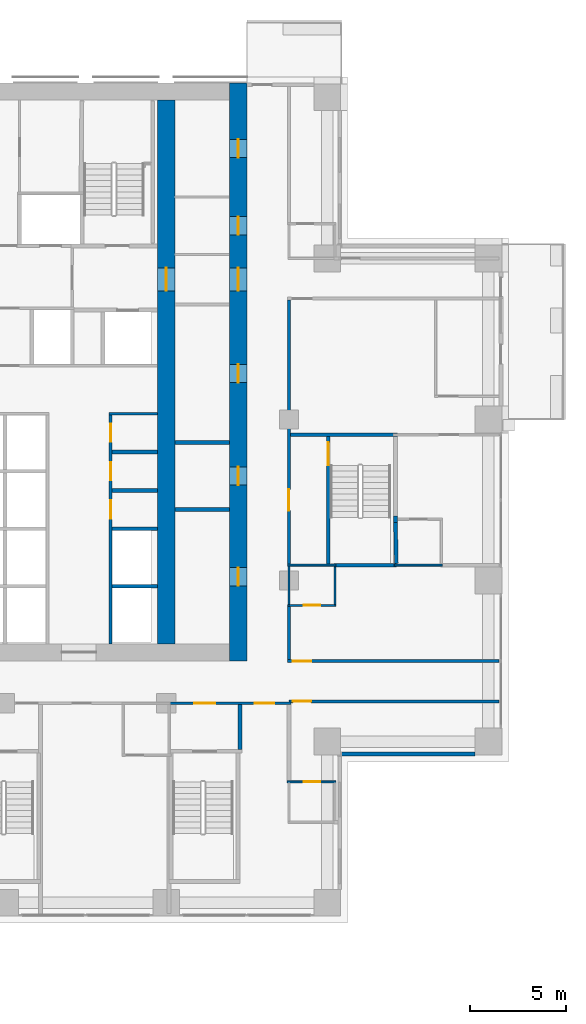
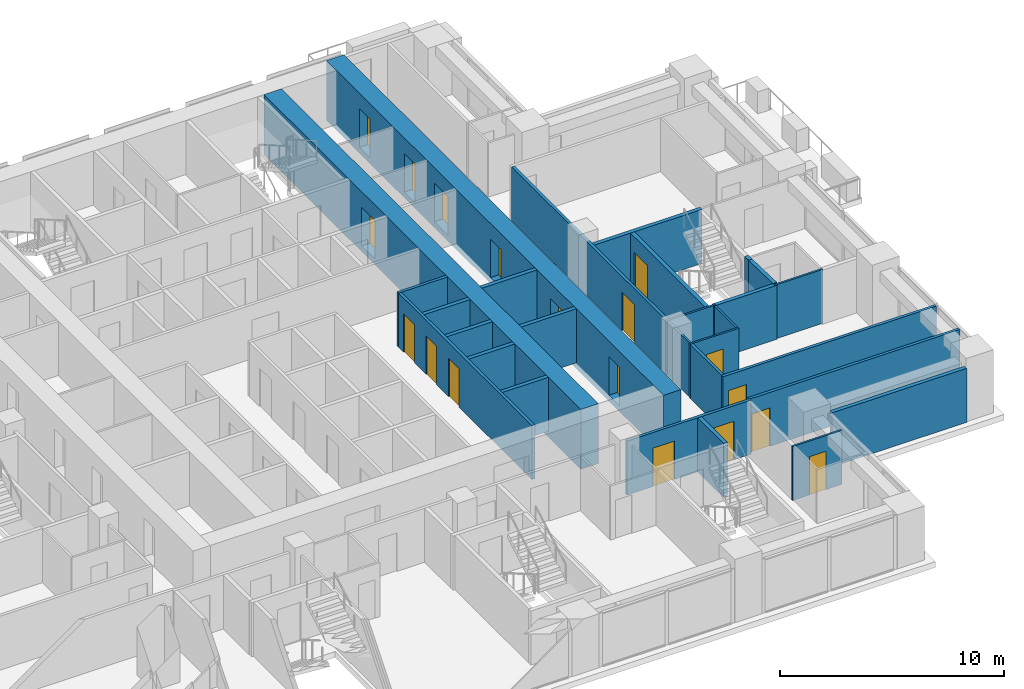
# One storey, part 9 of 16: 28 walls, 18 doors, 18 openings.
"""IFC4 building model written with IfcOpenShell, lengths in metres."""

from ifc_helpers import new_model, si_unit, direction, frame, frame_2d, origin, place, context, subcontext, project, spatial, rectangle, extrude, material, layer, layer_set, type_object, element, fill, save


model = new_model("IFC4")

# Units and contexts
model_context = context("Model", 3, precision=1e-05, world=origin(), true_north=direction((0.0, 1.0)))
body_context = subcontext(model_context, "Body", "Model", "MODEL_VIEW")
ifc_project = project(units=[si_unit("LENGTHUNIT", "METRE"), si_unit("AREAUNIT", "SQUARE_METRE"), si_unit("VOLUMEUNIT", "CUBIC_METRE"), si_unit("PLANEANGLEUNIT", "RADIAN"), si_unit("MASSUNIT", "GRAM", prefix="KILO")], contexts=[model_context])

# Site, building, storey
site_placement = place(None, origin())
site = spatial("IfcSite", under=ifc_project, at=site_placement, CompositionType="ELEMENT")
building_placement = place(site_placement, origin())
building = spatial("IfcBuilding", under=site, at=building_placement, Name="Vermilion Ogive Tower", CompositionType="ELEMENT")
storey_placement = place(building_placement, frame((0.0, 0.0, 72.449951171875)))
storey = spatial("IfcBuildingStorey", under=building, at=storey_placement, Name="L17", CompositionType="ELEMENT", Elevation=72.449951171875)

# Wall, openings, doors
ifc_material_1 = material(Name="Concrete B80", Category="concrete")
ifc_layer_1 = layer(ifc_material_1, 0.89990234375)
ifc_layer_set_1 = layer_set([ifc_layer_1], Name="Core wall 900 B80")
wall_type_1 = type_object("IfcWallType", Name="Core wall 900 B80", PredefinedType="SHEAR", material=ifc_layer_set_1)
wall_1_placement = place(storey_placement, frame((12.14990234375, -8.39990234375, -0.320068359375), z_axis=(0.0, 0.0, 1.0), x_axis=(0.0, 1.0, 0.0)))
wall_1 = element("IfcWall", 1, at=wall_1_placement, inside=storey, type_object=wall_type_1, Name="L17-CORE-E", PredefinedType="SHEAR", context=body_context, shape_type="SweptSolid", body=[
    extrude(rectangle(XDim=30.14990234375, YDim=0.89990234375, at=frame_2d((15.074951171875, 0.0))), origin(), (0.0, 0.0, 1.0), 3.27001953125),
])
opening_1_placement = place(wall_1_placement, frame((3.925048828125, 0.0, 0.320068359375)))
opening_1 = element("IfcOpeningElement", 2, at=opening_1_placement, cuts=wall_1, Name="Opening DAC029", PredefinedType="OPENING", context=body_context, shape_type="SweptSolid", body=[
    extrude(rectangle(XDim=0.949951171875, YDim=2.10009765625, at=frame_2d((0.47509765625, 1.050048828125))), frame((0.0, 0.4599609375, 0.0), z_axis=(0.0, -1.0, 0.0), x_axis=(1.0, 0.0, 0.0)), (0.0, 0.0, 1.0), 0.919921875),
])
opening_2_placement = place(wall_1_placement, frame((9.175048828125, 0.0, 0.320068359375)))
opening_2 = element("IfcOpeningElement", 3, at=opening_2_placement, cuts=wall_1, Name="Opening DAC030", PredefinedType="OPENING", context=body_context, shape_type="SweptSolid", body=[
    extrude(rectangle(XDim=0.949951171875, YDim=2.10009765625, at=frame_2d((0.47509765625, 1.050048828125))), frame((0.0, 0.4599609375, 0.0), z_axis=(0.0, -1.0, 0.0), x_axis=(1.0, 0.0, 0.0)), (0.0, 0.0, 1.0), 0.919921875),
])
opening_3_placement = place(wall_1_placement, frame((14.52490234375, 0.0, 0.320068359375)))
opening_3 = element("IfcOpeningElement", 4, at=opening_3_placement, cuts=wall_1, Name="Opening DAC031", PredefinedType="OPENING", context=body_context, shape_type="SweptSolid", body=[
    extrude(rectangle(XDim=0.949951171875, YDim=2.10009765625, at=frame_2d((0.47509765625, 1.050048828125))), frame((0.0, 0.4599609375, 0.0), z_axis=(0.0, -1.0, 0.0), x_axis=(1.0, 0.0, 0.0)), (0.0, 0.0, 1.0), 0.919921875),
])
opening_4_placement = place(wall_1_placement, frame((22.22509765625, 0.0, 0.320068359375)))
opening_4 = element("IfcOpeningElement", 5, at=opening_4_placement, cuts=wall_1, Name="Opening DAC032", PredefinedType="OPENING", context=body_context, shape_type="SweptSolid", body=[
    extrude(rectangle(XDim=0.949951171875, YDim=2.10009765625, at=frame_2d((0.47509765625, 1.050048828125))), frame((0.0, 0.4599609375, 0.0), z_axis=(0.0, -1.0, 0.0), x_axis=(1.0, 0.0, 0.0)), (0.0, 0.0, 1.0), 0.919921875),
])
opening_5_placement = place(wall_1_placement, frame((26.25, 0.0, 0.320068359375)))
opening_5 = element("IfcOpeningElement", 6, at=opening_5_placement, cuts=wall_1, Name="Opening DAC033", PredefinedType="OPENING", context=body_context, shape_type="SweptSolid", body=[
    extrude(rectangle(XDim=0.949951171875, YDim=2.10009765625, at=frame_2d((0.47509765625, 1.050048828125))), frame((0.0, 0.4599609375, 0.0), z_axis=(0.0, -1.0, 0.0), x_axis=(1.0, 0.0, 0.0)), (0.0, 0.0, 1.0), 0.919921875),
])
opening_6_placement = place(wall_1_placement, frame((19.300048828125, 0.0, 0.320068359375)))
opening_6 = element("IfcOpeningElement", 7, at=opening_6_placement, cuts=wall_1, Name="Opening DAL006", PredefinedType="OPENING", context=body_context, shape_type="SweptSolid", body=[
    extrude(rectangle(XDim=1.199951171875, YDim=2.10009765625, at=frame_2d((0.60009765625, 1.050048828125))), frame((0.0, 0.4599609375, 0.0), z_axis=(0.0, -1.0, 0.0), x_axis=(1.0, 0.0, 0.0)), (0.0, 0.0, 1.0), 0.919921875),
])
ifc_material_2 = material(Name="Timber door leaf", Category="wood")
door_type_1 = type_object("IfcDoorType", Name="Link door 1200 x 2100 FD60S", OperationType="SINGLE_SWING_LEFT", PredefinedType="DOOR", material=ifc_material_2)
door_1_placement = place(opening_6_placement, origin())
door_1 = element("IfcDoor", 8, at=door_1_placement, inside=storey, type_object=door_type_1, Name="L17-CKE-XL", OperationType="SINGLE_SWING_LEFT", OverallHeight=2.10009765625, OverallWidth=1.199951171875, PredefinedType="DOOR", context=body_context, shape_type="SweptSolid", body=[
    extrude(rectangle(XDim=1.199951171875, YDim=2.10009765625, at=frame_2d((0.60009765625, 1.050048828125))), frame((0.0, 0.02490234375, 0.0), z_axis=(0.0, -1.0, 0.0), x_axis=(1.0, 0.0, 0.0)), (0.0, 0.0, 1.0), 0.050048828125),
])
fill(opening_6, door_1)
ifc_material_3 = material(Name="Timber door leaf", Category="wood")
door_type_2 = type_object("IfcDoorType", Name="Service door 950 x 2100 FD60", OperationType="SINGLE_SWING_LEFT", PredefinedType="DOOR", material=ifc_material_3)
door_2_placement = place(opening_1_placement, origin())
door_2 = element("IfcDoor", 9, at=door_2_placement, inside=storey, type_object=door_type_2, Name="L17-CKE-XR0", OperationType="SINGLE_SWING_LEFT", OverallHeight=2.10009765625, OverallWidth=0.949951171875, PredefinedType="DOOR", context=body_context, shape_type="SweptSolid", body=[
    extrude(rectangle(XDim=0.949951171875, YDim=2.10009765625, at=frame_2d((0.47509765625, 1.050048828125))), frame((0.0, 0.02490234375, 0.0), z_axis=(0.0, -1.0, 0.0), x_axis=(1.0, 0.0, 0.0)), (0.0, 0.0, 1.0), 0.050048828125),
])
fill(opening_1, door_2)
door_3_placement = place(opening_2_placement, origin())
door_3 = element("IfcDoor", 10, at=door_3_placement, inside=storey, type_object=door_type_2, Name="L17-CKE-XR1", OperationType="SINGLE_SWING_LEFT", OverallHeight=2.10009765625, OverallWidth=0.949951171875, PredefinedType="DOOR", context=body_context, shape_type="SweptSolid", body=[
    extrude(rectangle(XDim=0.949951171875, YDim=2.10009765625, at=frame_2d((0.47509765625, 1.050048828125))), frame((0.0, 0.02490234375, 0.0), z_axis=(0.0, -1.0, 0.0), x_axis=(1.0, 0.0, 0.0)), (0.0, 0.0, 1.0), 0.050048828125),
])
fill(opening_2, door_3)
door_4_placement = place(opening_3_placement, origin())
door_4 = element("IfcDoor", 11, at=door_4_placement, inside=storey, type_object=door_type_2, Name="L17-CKE-XR2", OperationType="SINGLE_SWING_LEFT", OverallHeight=2.10009765625, OverallWidth=0.949951171875, PredefinedType="DOOR", context=body_context, shape_type="SweptSolid", body=[
    extrude(rectangle(XDim=0.949951171875, YDim=2.10009765625, at=frame_2d((0.47509765625, 1.050048828125))), frame((0.0, 0.02490234375, 0.0), z_axis=(0.0, -1.0, 0.0), x_axis=(1.0, 0.0, 0.0)), (0.0, 0.0, 1.0), 0.050048828125),
])
fill(opening_3, door_4)
door_5_placement = place(opening_4_placement, origin())
door_5 = element("IfcDoor", 12, at=door_5_placement, inside=storey, type_object=door_type_2, Name="L17-CKE-XR3", OperationType="SINGLE_SWING_LEFT", OverallHeight=2.10009765625, OverallWidth=0.949951171875, PredefinedType="DOOR", context=body_context, shape_type="SweptSolid", body=[
    extrude(rectangle(XDim=0.949951171875, YDim=2.10009765625, at=frame_2d((0.47509765625, 1.050048828125))), frame((0.0, 0.02490234375, 0.0), z_axis=(0.0, -1.0, 0.0), x_axis=(1.0, 0.0, 0.0)), (0.0, 0.0, 1.0), 0.050048828125),
])
fill(opening_4, door_5)
door_6_placement = place(opening_5_placement, origin())
door_6 = element("IfcDoor", 13, at=door_6_placement, inside=storey, type_object=door_type_2, Name="L17-CKE-XR4", OperationType="SINGLE_SWING_LEFT", OverallHeight=2.10009765625, OverallWidth=0.949951171875, PredefinedType="DOOR", context=body_context, shape_type="SweptSolid", body=[
    extrude(rectangle(XDim=0.949951171875, YDim=2.10009765625, at=frame_2d((0.47509765625, 1.050048828125))), frame((0.0, 0.02490234375, 0.0), z_axis=(0.0, -1.0, 0.0), x_axis=(1.0, 0.0, 0.0)), (0.0, 0.0, 1.0), 0.050048828125),
])
fill(opening_5, door_6)

# Wall, opening, door
wall_2_placement = place(storey_placement, frame((8.39990234375, -7.5, -0.320068359375), z_axis=(0.0, 0.0, 1.0), x_axis=(0.0, 1.0, 0.0)))
wall_2 = element("IfcWall", 14, at=wall_2_placement, inside=storey, type_object=wall_type_1, Name="L17-CORE-WEB2", PredefinedType="SHEAR", context=body_context, shape_type="SweptSolid", body=[
    extrude(rectangle(XDim=28.35009765625, YDim=0.89990234375, at=frame_2d((14.175048828125, 0.0))), origin(), (0.0, 0.0, 1.0), 3.27001953125),
])
opening_7_placement = place(wall_2_placement, frame((18.39990234375, 0.0, 0.320068359375)))
opening_7 = element("IfcOpeningElement", 15, at=opening_7_placement, cuts=wall_2, Name="Opening DAO006", PredefinedType="OPENING", context=body_context, shape_type="SweptSolid", body=[
    extrude(rectangle(XDim=1.199951171875, YDim=2.10009765625, at=frame_2d((0.60009765625, 1.050048828125))), frame((0.0, 0.4599609375, 0.0), z_axis=(0.0, -1.0, 0.0), x_axis=(1.0, 0.0, 0.0)), (0.0, 0.0, 1.0), 0.919921875),
])
door_7_placement = place(opening_7_placement, origin())
door_7 = element("IfcDoor", 16, at=door_7_placement, inside=storey, type_object=door_type_1, Name="L17-CKE-XW", OperationType="SINGLE_SWING_LEFT", OverallHeight=2.10009765625, OverallWidth=1.199951171875, PredefinedType="DOOR", context=body_context, shape_type="SweptSolid", body=[
    extrude(rectangle(XDim=1.199951171875, YDim=2.10009765625, at=frame_2d((0.60009765625, 1.050048828125))), frame((0.0, 0.02490234375, 0.0), z_axis=(0.0, -1.0, 0.0), x_axis=(1.0, 0.0, 0.0)), (0.0, 0.0, 1.0), 0.050048828125),
])
fill(opening_7, door_7)

ifc_material_4 = material(Name="Gypsum board partition on steel studs", Category="steel")
ifc_layer_2 = layer(ifc_material_4, 0.10009765625)
ifc_layer_set_2 = layer_set([ifc_layer_2], Name="Partition 100 bath")
wall_type_2 = type_object("IfcWallType", Name="Partition 100 bath", PredefinedType="PARTITIONING", material=ifc_layer_set_2)
wall_3_placement = place(storey_placement, frame((14.699951171875, -14.699951171875, 0.0), z_axis=(0.0, 0.0, 1.0), x_axis=(1.0, 0.0, 0.0)))
wall_3 = element("IfcWall", 17, at=wall_3_placement, inside=storey, type_object=wall_type_2, Name="L17-W-W007", PredefinedType="PARTITIONING", context=body_context, shape_type="SweptSolid", body=[
    extrude(rectangle(XDim=2.550048828125, YDim=0.10009765625, at=frame_2d((1.27490234375, 0.0))), origin(), (0.0, 0.0, 1.0), 2.949951171875),
])
opening_8_placement = place(wall_3_placement, frame((0.875, 0.0, 0.0)))
opening_8 = element("IfcOpeningElement", 18, at=opening_8_placement, cuts=wall_3, Name="Opening D1G6016", PredefinedType="OPENING", context=body_context, shape_type="SweptSolid", body=[
    extrude(rectangle(XDim=0.85009765625, YDim=2.10009765625, at=frame_2d((0.425048828125, 1.050048828125))), frame((0.0, 0.06005859375, 0.0), z_axis=(0.0, -1.0, 0.0), x_axis=(1.0, 0.0, 0.0)), (0.0, 0.0, 1.0), 0.1201171875),
])
ifc_material_5 = material(Name="Timber door leaf", Category="wood")
door_type_3 = type_object("IfcDoorType", Name="Bath door 850 x 2100 FD30", OperationType="SINGLE_SWING_LEFT", PredefinedType="DOOR", material=ifc_material_5)
door_8_placement = place(opening_8_placement, origin())
door_8 = element("IfcDoor", 19, at=door_8_placement, inside=storey, type_object=door_type_3, Name="L17-D-D016", OperationType="SINGLE_SWING_RIGHT", OverallHeight=2.10009765625, OverallWidth=0.85009765625, PredefinedType="DOOR", context=body_context, shape_type="SweptSolid", body=[
    extrude(rectangle(XDim=0.85009765625, YDim=2.10009765625, at=frame_2d((0.425048828125, 1.050048828125))), frame((0.0, 0.02490234375, 0.0), z_axis=(0.0, -1.0, 0.0), x_axis=(1.0, 0.0, 0.0)), (0.0, 0.0, 1.0), 0.050048828125),
])
fill(opening_8, door_8)

wall_4_placement = place(storey_placement, frame((14.72509765625, -5.5, 0.0), z_axis=(0.0, 0.0, 1.0), x_axis=(1.0, 0.0, 0.0)))
wall_4 = element("IfcWall", 20, at=wall_4_placement, inside=storey, type_object=wall_type_2, Name="L17-W-W024", PredefinedType="PARTITIONING", context=body_context, shape_type="SweptSolid", body=[
    extrude(rectangle(XDim=2.52490234375, YDim=0.10009765625, at=frame_2d((1.262451171875, 0.0))), origin(), (0.0, 0.0, 1.0), 2.949951171875),
])
opening_9_placement = place(wall_4_placement, frame((0.849853515625, 0.0, 0.0)))
opening_9 = element("IfcOpeningElement", 21, at=opening_9_placement, cuts=wall_4, Name="Opening D1G6018", PredefinedType="OPENING", context=body_context, shape_type="SweptSolid", body=[
    extrude(rectangle(XDim=0.85009765625, YDim=2.10009765625, at=frame_2d((0.425048828125, 1.050048828125))), frame((0.0, 0.06005859375, 0.0), z_axis=(0.0, -1.0, 0.0), x_axis=(1.0, 0.0, 0.0)), (0.0, 0.0, 1.0), 0.1201171875),
])
door_9_placement = place(opening_9_placement, origin())
door_9 = element("IfcDoor", 22, at=door_9_placement, inside=storey, type_object=door_type_3, Name="L17-D-D018", OperationType="SINGLE_SWING_LEFT", OverallHeight=2.10009765625, OverallWidth=0.85009765625, PredefinedType="DOOR", context=body_context, shape_type="SweptSolid", body=[
    extrude(rectangle(XDim=0.85009765625, YDim=2.10009765625, at=frame_2d((0.425048828125, 1.050048828125))), frame((0.0, 0.02490234375, 0.0), z_axis=(0.0, -1.0, 0.0), x_axis=(1.0, 0.0, 0.0)), (0.0, 0.0, 1.0), 0.050048828125),
])
fill(opening_9, door_9)

# Walls
wall_5_placement = place(storey_placement, frame((14.72509765625, -3.39990234375, 0.0), z_axis=(0.0, 0.0, 1.0), x_axis=(1.0, 0.0, 0.0)))
element("IfcWall", 23, at=wall_5_placement, inside=storey, type_object=wall_type_2, Name="L17-W-W029", PredefinedType="PARTITIONING", context=body_context, shape_type="SweptSolid", body=[
    extrude(rectangle(XDim=2.52490234375, YDim=0.10009765625, at=frame_2d((1.262451171875, 0.0))), origin(), (0.0, 0.0, 1.0), 2.949951171875),
])
wall_6_placement = place(storey_placement, frame((20.300048828125, -3.39990234375, 0.0), z_axis=(0.0, 0.0, 1.0), x_axis=(1.0, 0.0, 0.0)))
element("IfcWall", 24, at=wall_6_placement, inside=storey, type_object=wall_type_2, Name="L17-W-W031", PredefinedType="PARTITIONING", context=body_context, shape_type="SweptSolid", body=[
    extrude(rectangle(XDim=2.5, YDim=0.10009765625, at=frame_2d((1.25, 0.0))), origin(), (0.0, 0.0, 1.0), 2.949951171875),
])
wall_7_placement = place(storey_placement, frame((14.800048828125, -5.449951171875, 0.0), z_axis=(0.0, 0.0, 1.0), x_axis=(0.0, 1.0, 0.0)))
element("IfcWall", 25, at=wall_7_placement, inside=storey, type_object=wall_type_2, Name="L17-W-W084", PredefinedType="PARTITIONING", context=body_context, shape_type="SweptSolid", body=[
    extrude(rectangle(XDim=2.0, YDim=0.10009765625, at=frame_2d((1.0, 0.0))), origin(), (0.0, 0.0, 1.0), 2.949951171875),
])
wall_8_placement = place(storey_placement, frame((17.199951171875, -5.449951171875, 0.0), z_axis=(0.0, 0.0, 1.0), x_axis=(0.0, 1.0, 0.0)))
element("IfcWall", 26, at=wall_8_placement, inside=storey, type_object=wall_type_2, Name="L17-W-W090", PredefinedType="PARTITIONING", context=body_context, shape_type="SweptSolid", body=[
    extrude(rectangle(XDim=1.949951171875, YDim=0.10009765625, at=frame_2d((0.97509765625, 0.0))), origin(), (0.0, 0.0, 1.0), 2.949951171875),
])

# Wall, openings, doors
ifc_material_6 = material(Name="Gypsum board partition on steel studs", Category="steel")
ifc_layer_3 = layer(ifc_material_6, 0.14990234375)
ifc_layer_set_3 = layer_set([ifc_layer_3], Name="Partition 150 corridor")
wall_type_3 = type_object("IfcWallType", Name="Partition 150 corridor", PredefinedType="PARTITIONING", material=ifc_layer_set_3)
wall_9_placement = place(storey_placement, frame((8.5, -10.60009765625, 0.0), z_axis=(0.0, 0.0, 1.0), x_axis=(1.0, 0.0, 0.0)))
wall_9 = element("IfcWall", 27, at=wall_9_placement, inside=storey, type_object=wall_type_3, Name="L17-W-W018", PredefinedType="PARTITIONING", context=body_context, shape_type="SweptSolid", body=[
    extrude(rectangle(XDim=6.39990234375, YDim=0.14990234375, at=frame_2d((3.199951171875, 0.0))), origin(), (0.0, 0.0, 1.0), 2.949951171875),
])
opening_10_placement = place(wall_9_placement, frame((1.35009765625, 0.0, 0.0)))
opening_10 = element("IfcOpeningElement", 28, at=opening_10_placement, cuts=wall_9, Name="Opening D1G6029", PredefinedType="OPENING", context=body_context, shape_type="SweptSolid", body=[
    extrude(rectangle(XDim=1.10009765625, YDim=2.10009765625, at=frame_2d((0.550048828125, 1.050048828125))), frame((0.0, 0.0849609375, 0.0), z_axis=(0.0, -1.0, 0.0), x_axis=(1.0, 0.0, 0.0)), (0.0, 0.0, 1.0), 0.169921875),
])
opening_11_placement = place(wall_9_placement, frame((4.52490234375, 0.0, 0.0)))
opening_11 = element("IfcOpeningElement", 29, at=opening_11_placement, cuts=wall_9, Name="Opening D1G6036", PredefinedType="OPENING", context=body_context, shape_type="SweptSolid", body=[
    extrude(rectangle(XDim=1.0, YDim=2.10009765625, at=frame_2d((0.5, 1.050048828125))), frame((0.0, 0.0849609375, 0.0), z_axis=(0.0, -1.0, 0.0), x_axis=(1.0, 0.0, 0.0)), (0.0, 0.0, 1.0), 0.169921875),
])
ifc_material_7 = material(Name="Timber door leaf", Category="wood")
door_type_4 = type_object("IfcDoorType", Name="Stair door 1100 x 2100 FD60S", OperationType="SINGLE_SWING_LEFT", PredefinedType="DOOR", material=ifc_material_7)
door_10_placement = place(opening_10_placement, origin())
door_10 = element("IfcDoor", 30, at=door_10_placement, inside=storey, type_object=door_type_4, Name="L17-D-D029", OperationType="SINGLE_SWING_RIGHT", OverallHeight=2.10009765625, OverallWidth=1.10009765625, PredefinedType="DOOR", context=body_context, shape_type="SweptSolid", body=[
    extrude(rectangle(XDim=1.10009765625, YDim=2.10009765625, at=frame_2d((0.550048828125, 1.050048828125))), frame((0.0, 0.02490234375, 0.0), z_axis=(0.0, -1.0, 0.0), x_axis=(1.0, 0.0, 0.0)), (0.0, 0.0, 1.0), 0.050048828125),
])
fill(opening_10, door_10)
ifc_material_8 = material(Name="Timber door leaf", Category="wood")
door_type_5 = type_object("IfcDoorType", Name="Unit door 1000 x 2100 FD30S", OperationType="SINGLE_SWING_LEFT", PredefinedType="DOOR", material=ifc_material_8)
door_11_placement = place(opening_11_placement, origin())
door_11 = element("IfcDoor", 31, at=door_11_placement, inside=storey, type_object=door_type_5, Name="L17-D-D036", OperationType="SINGLE_SWING_RIGHT", OverallHeight=2.10009765625, OverallWidth=1.0, PredefinedType="DOOR", context=body_context, shape_type="SweptSolid", body=[
    extrude(rectangle(XDim=1.0, YDim=2.10009765625, at=frame_2d((0.5, 1.050048828125))), frame((0.0, 0.02490234375, 0.0), z_axis=(0.0, -1.0, 0.0), x_axis=(1.0, 0.0, 0.0)), (0.0, 0.0, 1.0), 0.050048828125),
])
fill(opening_11, door_11)

# Wall, opening, door
wall_10_placement = place(storey_placement, frame((14.800048828125, -10.5, 0.0), z_axis=(0.0, 0.0, 1.0), x_axis=(1.0, 0.0, 0.0)))
wall_10 = element("IfcWall", 32, at=wall_10_placement, inside=storey, type_object=wall_type_3, Name="L17-W-W020", PredefinedType="PARTITIONING", context=body_context, shape_type="SweptSolid", body=[
    extrude(rectangle(XDim=10.949951171875, YDim=0.14990234375, at=frame_2d((5.47509765625, 0.0))), origin(), (0.0, 0.0, 1.0), 2.949951171875),
])
opening_12_placement = place(wall_10_placement, frame((0.199951171875, 0.0, 0.0)))
opening_12 = element("IfcOpeningElement", 33, at=opening_12_placement, cuts=wall_10, Name="Opening D1G6015", PredefinedType="OPENING", context=body_context, shape_type="SweptSolid", body=[
    extrude(rectangle(XDim=0.949951171875, YDim=2.10009765625, at=frame_2d((0.47509765625, 1.050048828125))), frame((0.0, 0.0849609375, 0.0), z_axis=(0.0, -1.0, 0.0), x_axis=(1.0, 0.0, 0.0)), (0.0, 0.0, 1.0), 0.169921875),
])
ifc_material_9 = material(Name="Timber door leaf", Category="wood")
door_type_6 = type_object("IfcDoorType", Name="Unit door 950 x 2100 FD30S", OperationType="SINGLE_SWING_LEFT", PredefinedType="DOOR", material=ifc_material_9)
door_12_placement = place(opening_12_placement, origin())
door_12 = element("IfcDoor", 34, at=door_12_placement, inside=storey, type_object=door_type_6, Name="L17-D-D015", OperationType="SINGLE_SWING_RIGHT", OverallHeight=2.10009765625, OverallWidth=0.949951171875, PredefinedType="DOOR", context=body_context, shape_type="SweptSolid", body=[
    extrude(rectangle(XDim=0.949951171875, YDim=2.10009765625, at=frame_2d((0.47509765625, 1.050048828125))), frame((0.0, 0.02490234375, 0.0), z_axis=(0.0, -1.0, 0.0), x_axis=(1.0, 0.0, 0.0)), (0.0, 0.0, 1.0), 0.050048828125),
])
fill(opening_12, door_12)

wall_11_placement = place(storey_placement, frame((14.72509765625, -8.39990234375, 0.0), z_axis=(0.0, 0.0, 1.0), x_axis=(1.0, 0.0, 0.0)))
wall_11 = element("IfcWall", 35, at=wall_11_placement, inside=storey, type_object=wall_type_3, Name="L17-W-W022", PredefinedType="PARTITIONING", context=body_context, shape_type="SweptSolid", body=[
    extrude(rectangle(XDim=11.02490234375, YDim=0.14990234375, at=frame_2d((5.512451171875, 0.0))), origin(), (0.0, 0.0, 1.0), 2.949951171875),
])
opening_13_placement = place(wall_11_placement, frame((0.27490234375, 0.0, 0.0)))
opening_13 = element("IfcOpeningElement", 36, at=opening_13_placement, cuts=wall_11, Name="Opening D1G6017", PredefinedType="OPENING", context=body_context, shape_type="SweptSolid", body=[
    extrude(rectangle(XDim=0.949951171875, YDim=2.10009765625, at=frame_2d((0.47509765625, 1.050048828125))), frame((0.0, 0.0849609375, 0.0), z_axis=(0.0, -1.0, 0.0), x_axis=(1.0, 0.0, 0.0)), (0.0, 0.0, 1.0), 0.169921875),
])
door_13_placement = place(opening_13_placement, origin())
door_13 = element("IfcDoor", 37, at=door_13_placement, inside=storey, type_object=door_type_6, Name="L17-D-D017", OperationType="SINGLE_SWING_LEFT", OverallHeight=2.10009765625, OverallWidth=0.949951171875, PredefinedType="DOOR", context=body_context, shape_type="SweptSolid", body=[
    extrude(rectangle(XDim=0.949951171875, YDim=2.10009765625, at=frame_2d((0.47509765625, 1.050048828125))), frame((0.0, 0.02490234375, 0.0), z_axis=(0.0, -1.0, 0.0), x_axis=(1.0, 0.0, 0.0)), (0.0, 0.0, 1.0), 0.050048828125),
])
fill(opening_13, door_13)

# Wall
wall_12_placement = place(storey_placement, frame((14.800048828125, -8.324951171875, 0.0), z_axis=(0.0, 0.0, 1.0), x_axis=(0.0, 1.0, 0.0)))
element("IfcWall", 38, at=wall_12_placement, inside=storey, type_object=wall_type_3, Name="L17-W-W083", PredefinedType="PARTITIONING", context=body_context, shape_type="SweptSolid", body=[
    extrude(rectangle(XDim=2.77490234375, YDim=0.14990234375, at=frame_2d((1.387451171875, 0.0))), origin(), (0.0, 0.0, 1.0), 2.949951171875),
])

# Wall, opening, door
wall_13_placement = place(storey_placement, frame((14.800048828125, -3.35009765625, 0.0), z_axis=(0.0, 0.0, 1.0), x_axis=(0.0, 1.0, 0.0)))
wall_13 = element("IfcWall", 39, at=wall_13_placement, inside=storey, type_object=wall_type_3, Name="L17-W-W085", PredefinedType="PARTITIONING", context=body_context, shape_type="SweptSolid", body=[
    extrude(rectangle(XDim=13.775146484375, YDim=0.14990234375, at=frame_2d((6.8876953125, 0.0))), origin(), (0.0, 0.0, 1.0), 2.949951171875),
])
opening_14_placement = place(wall_13_placement, frame((2.800048828125, 0.0, 0.0)))
opening_14 = element("IfcOpeningElement", 40, at=opening_14_placement, cuts=wall_13, Name="Opening D1G6031", PredefinedType="OPENING", context=body_context, shape_type="SweptSolid", body=[
    extrude(rectangle(XDim=1.10009765625, YDim=2.10009765625, at=frame_2d((0.550048828125, 1.050048828125))), frame((0.0, 0.0849609375, 0.0), z_axis=(0.0, -1.0, 0.0), x_axis=(1.0, 0.0, 0.0)), (0.0, 0.0, 1.0), 0.169921875),
])
door_14_placement = place(opening_14_placement, origin())
door_14 = element("IfcDoor", 41, at=door_14_placement, inside=storey, type_object=door_type_4, Name="L17-D-D031", OperationType="SINGLE_SWING_LEFT", OverallHeight=2.10009765625, OverallWidth=1.10009765625, PredefinedType="DOOR", context=body_context, shape_type="SweptSolid", body=[
    extrude(rectangle(XDim=1.10009765625, YDim=2.10009765625, at=frame_2d((0.550048828125, 1.050048828125))), frame((0.0, 0.02490234375, 0.0), z_axis=(0.0, -1.0, 0.0), x_axis=(1.0, 0.0, 0.0)), (0.0, 0.0, 1.0), 0.050048828125),
])
fill(opening_14, door_14)

# Wall
wall_14_placement = place(storey_placement, frame((5.425048828125, 4.5, 0.0), z_axis=(0.0, 0.0, 1.0), x_axis=(1.0, 0.0, 0.0)))
element("IfcWall", 42, at=wall_14_placement, inside=storey, type_object=wall_type_3, Name="L17-CK-W-W013", PredefinedType="PARTITIONING", context=body_context, shape_type="SweptSolid", body=[
    extrude(rectangle(XDim=2.52392578125, YDim=0.14990234375, at=frame_2d((1.261962890625, 0.0))), origin(), (0.0, 0.0, 1.0), 2.949951171875),
])

# Wall, openings, doors
wall_15_placement = place(storey_placement, frame((5.5, -7.4990234375, 0.0), z_axis=(0.0, 0.0, 1.0), x_axis=(0.0, 1.0, 0.0)))
wall_15 = element("IfcWall", 43, at=wall_15_placement, inside=storey, type_object=wall_type_3, Name="L17-CK-W-W041", PredefinedType="PARTITIONING", context=body_context, shape_type="SweptSolid", body=[
    extrude(rectangle(XDim=11.924072265625, YDim=0.14990234375, at=frame_2d((5.9619140625, 0.0))), origin(), (0.0, 0.0, 1.0), 2.949951171875),
])
opening_15_placement = place(wall_15_placement, frame((6.52392578125, 0.0, 0.0)))
opening_15 = element("IfcOpeningElement", 44, at=opening_15_placement, cuts=wall_15, Name="Opening DAA119", PredefinedType="OPENING", context=body_context, shape_type="SweptSolid", body=[
    extrude(rectangle(XDim=0.949951171875, YDim=2.10009765625, at=frame_2d((0.47509765625, 1.050048828125))), frame((0.0, 0.0849609375, 0.0), z_axis=(0.0, -1.0, 0.0), x_axis=(1.0, 0.0, 0.0)), (0.0, 0.0, 1.0), 0.169921875),
])
opening_16_placement = place(wall_15_placement, frame((8.52392578125, 0.0, 0.0)))
opening_16 = element("IfcOpeningElement", 45, at=opening_16_placement, cuts=wall_15, Name="Opening DAA120", PredefinedType="OPENING", context=body_context, shape_type="SweptSolid", body=[
    extrude(rectangle(XDim=0.949951171875, YDim=2.10009765625, at=frame_2d((0.47509765625, 1.050048828125))), frame((0.0, 0.0849609375, 0.0), z_axis=(0.0, -1.0, 0.0), x_axis=(1.0, 0.0, 0.0)), (0.0, 0.0, 1.0), 0.169921875),
])
opening_17_placement = place(wall_15_placement, frame((10.52392578125, 0.0, 0.0)))
opening_17 = element("IfcOpeningElement", 46, at=opening_17_placement, cuts=wall_15, Name="Opening DAA121", PredefinedType="OPENING", context=body_context, shape_type="SweptSolid", body=[
    extrude(rectangle(XDim=0.949951171875, YDim=2.10009765625, at=frame_2d((0.47509765625, 1.050048828125))), frame((0.0, 0.0849609375, 0.0), z_axis=(0.0, -1.0, 0.0), x_axis=(1.0, 0.0, 0.0)), (0.0, 0.0, 1.0), 0.169921875),
])
door_15_placement = place(opening_15_placement, origin())
door_15 = element("IfcDoor", 47, at=door_15_placement, inside=storey, type_object=door_type_2, Name="L17-CK-D-D009", OperationType="SINGLE_SWING_RIGHT", OverallHeight=2.10009765625, OverallWidth=0.949951171875, PredefinedType="DOOR", context=body_context, shape_type="SweptSolid", body=[
    extrude(rectangle(XDim=0.949951171875, YDim=2.10009765625, at=frame_2d((0.47509765625, 1.050048828125))), frame((0.0, 0.02490234375, 0.0), z_axis=(0.0, -1.0, 0.0), x_axis=(1.0, 0.0, 0.0)), (0.0, 0.0, 1.0), 0.050048828125),
])
fill(opening_15, door_15)
door_16_placement = place(opening_16_placement, origin())
door_16 = element("IfcDoor", 48, at=door_16_placement, inside=storey, type_object=door_type_2, Name="L17-CK-D-D010", OperationType="SINGLE_SWING_LEFT", OverallHeight=2.10009765625, OverallWidth=0.949951171875, PredefinedType="DOOR", context=body_context, shape_type="SweptSolid", body=[
    extrude(rectangle(XDim=0.949951171875, YDim=2.10009765625, at=frame_2d((0.47509765625, 1.050048828125))), frame((0.0, 0.02490234375, 0.0), z_axis=(0.0, -1.0, 0.0), x_axis=(1.0, 0.0, 0.0)), (0.0, 0.0, 1.0), 0.050048828125),
])
fill(opening_16, door_16)
door_17_placement = place(opening_17_placement, origin())
door_17 = element("IfcDoor", 49, at=door_17_placement, inside=storey, type_object=door_type_2, Name="L17-CK-D-D011", OperationType="SINGLE_SWING_RIGHT", OverallHeight=2.10009765625, OverallWidth=0.949951171875, PredefinedType="DOOR", context=body_context, shape_type="SweptSolid", body=[
    extrude(rectangle(XDim=0.949951171875, YDim=2.10009765625, at=frame_2d((0.47509765625, 1.050048828125))), frame((0.0, 0.02490234375, 0.0), z_axis=(0.0, -1.0, 0.0), x_axis=(1.0, 0.0, 0.0)), (0.0, 0.0, 1.0), 0.050048828125),
])
fill(opening_17, door_17)

# Walls
ifc_material_10 = material(Name="Gypsum board partition on steel studs", Category="steel")
ifc_layer_4 = layer(ifc_material_10, 0.199951171875)
ifc_layer_set_4 = layer_set([ifc_layer_4], Name="Partition 200 party")
wall_type_4 = type_object("IfcWallType", Name="Partition 200 party", PredefinedType="PARTITIONING", material=ifc_layer_set_4)
wall_16_placement = place(storey_placement, frame((12.25, -12.998046875, 0.0), z_axis=(0.0, 0.0, 1.0), x_axis=(0.0, 1.0, 0.0)))
element("IfcWall", 50, at=wall_16_placement, inside=storey, type_object=wall_type_4, Name="L17-W-W080", PredefinedType="PARTITIONING", context=body_context, shape_type="SweptSolid", body=[
    extrude(rectangle(XDim=2.322998046875, YDim=0.199951171875, at=frame_2d((1.16162109375, 0.0))), origin(), (0.0, 0.0, 1.0), 2.949951171875),
])
for number, where, z_axis, x_axis, name in (
    (51, (5.574951171875, -4.5, 0.0), (0.0, 0.0, 1.0), (1.0, 0.0, 0.0), "L17-CK-W-W003"),
    (52, (5.574951171875, -1.5, 0.0), (0.0, 0.0, 1.0), (1.0, 0.0, 0.0), "L17-CK-W-W006"),
    (53, (5.574951171875, 0.5, 0.0), (0.0, 0.0, 1.0), (1.0, 0.0, 0.0), "L17-CK-W-W007"),
    (54, (5.574951171875, 2.5, 0.0), (0.0, 0.0, 1.0), (1.0, 0.0, 0.0), "L17-CK-W-W010"),
):
    element("IfcWall", number, at=place(storey_placement, frame(where, z_axis=z_axis, x_axis=x_axis)), inside=storey, type_object=wall_type_4, Name=name, PredefinedType="PARTITIONING", context=body_context, shape_type="SweptSolid", body=[
        extrude(rectangle(XDim=2.3740234375, YDim=0.199951171875, at=frame_2d((1.18701171875, 0.0))), origin(), (0.0, 0.0, 1.0), 2.949951171875),
    ])
for number, where, z_axis, x_axis, name in (
    (55, (8.85107421875, -0.5, 0.0), (0.0, 0.0, 1.0), (1.0, 0.0, 0.0), "L17-CKE-W-W001"),
    (56, (8.85107421875, 3.0, 0.0), (0.0, 0.0, 1.0), (1.0, 0.0, 0.0), "L17-CKE-W-W002"),
):
    element("IfcWall", number, at=place(storey_placement, frame(where, z_axis=z_axis, x_axis=x_axis)), inside=storey, type_object=wall_type_4, Name=name, PredefinedType="PARTITIONING", context=body_context, shape_type="SweptSolid", body=[
        extrude(rectangle(XDim=2.847900390625, YDim=0.199951171875, at=frame_2d((1.423828125, 0.0))), origin(), (0.0, 0.0, 1.0), 2.949951171875),
    ])
ifc_material_11 = material(Name="Concrete B60", Category="concrete")
ifc_layer_5 = layer(ifc_material_11, 0.199951171875)
ifc_layer_set_5 = layer_set([ifc_layer_5], Name="Stair shaft wall 200 Concrete B60")
wall_type_5 = type_object("IfcWallType", Name="Stair shaft wall 200 Concrete B60", PredefinedType="SOLIDWALL", material=ifc_layer_set_5)
wall_17_placement = place(storey_placement, frame((17.14990234375, -3.39990234375, 0.0), z_axis=(0.0, 0.0, 1.0), x_axis=(1.0, 0.0, 0.0)))
element("IfcWall", 57, at=wall_17_placement, inside=storey, type_object=wall_type_5, Name="L17-W-W030", PredefinedType="SOLIDWALL", context=body_context, shape_type="SweptSolid", body=[
    extrude(rectangle(XDim=3.25, YDim=0.199951171875, at=frame_2d((1.625, 0.0))), origin(), (0.0, 0.0, 1.0), 2.949951171875),
])

# Wall, opening, door
wall_18_placement = place(storey_placement, frame((16.85009765625, -3.35009765625, 0.0), z_axis=(0.0, 0.0, 1.0), x_axis=(0.0, 1.0, 0.0)))
wall_18 = element("IfcWall", 58, at=wall_18_placement, inside=storey, type_object=wall_type_5, Name="L17-W-W088", PredefinedType="SOLIDWALL", context=body_context, shape_type="SweptSolid", body=[
    extrude(rectangle(XDim=6.650146484375, YDim=0.199951171875, at=frame_2d((3.3251953125, 0.0))), origin(), (0.0, 0.0, 1.0), 2.949951171875),
])
opening_18_placement = place(wall_18_placement, frame((5.14990234375, 0.0, 0.0)))
opening_18 = element("IfcOpeningElement", 59, at=opening_18_placement, cuts=wall_18, Name="Opening D1G6032", PredefinedType="OPENING", context=body_context, shape_type="SweptSolid", body=[
    extrude(rectangle(XDim=1.199951171875, YDim=2.10009765625, at=frame_2d((0.60009765625, 1.050048828125))), frame((0.0, 0.10986328125, 0.0), z_axis=(0.0, -1.0, 0.0), x_axis=(1.0, 0.0, 0.0)), (0.0, 0.0, 1.0), 0.219970703125),
])
ifc_material_12 = material(Name="Timber door leaf", Category="wood")
door_type_7 = type_object("IfcDoorType", Name="Stair door 1200 x 2100 FD60S", OperationType="SINGLE_SWING_LEFT", PredefinedType="DOOR", material=ifc_material_12)
door_18_placement = place(opening_18_placement, origin())
door_18 = element("IfcDoor", 60, at=door_18_placement, inside=storey, type_object=door_type_7, Name="L17-D-D032", OperationType="SINGLE_SWING_LEFT", OverallHeight=2.10009765625, OverallWidth=1.199951171875, PredefinedType="DOOR", context=body_context, shape_type="SweptSolid", body=[
    extrude(rectangle(XDim=1.199951171875, YDim=2.10009765625, at=frame_2d((0.60009765625, 1.050048828125))), frame((0.0, 0.02490234375, 0.0), z_axis=(0.0, -1.0, 0.0), x_axis=(1.0, 0.0, 0.0)), (0.0, 0.0, 1.0), 0.050048828125),
])
fill(opening_18, door_18)

# Walls
wall_19_placement = place(storey_placement, frame((20.400146484375, -3.300048828125, 0.0), z_axis=(0.0, 0.0, 1.0), x_axis=(-0.021771342749, 0.999762976227, 0.0)))
element("IfcWall", 61, at=wall_19_placement, inside=storey, type_object=wall_type_5, Name="L17-W-W092", PredefinedType="SOLIDWALL", context=body_context, shape_type="SweptSolid", body=[
    extrude(rectangle(XDim=2.130615234375, YDim=0.199951171875, at=frame_2d((1.0654296875, 0.0))), origin(), (0.0, 0.0, 1.0), 2.949951171875),
])
wall_20_placement = place(storey_placement, frame((20.35009765625, -1.169921875, 0.0), z_axis=(0.0, 0.0, 1.0), x_axis=(0.0, 1.0, 0.0)))
element("IfcWall", 62, at=wall_20_placement, inside=storey, type_object=wall_type_5, Name="L17-SW-ST8-E1", PredefinedType="SOLIDWALL", context=body_context, shape_type="SweptSolid", body=[
    extrude(rectangle(XDim=0.33984375, YDim=0.199951171875, at=frame_2d((0.169921875, 0.0))), origin(), (0.0, 0.0, 1.0), 2.949951171875),
])
wall_21_placement = place(storey_placement, frame((14.875, 3.39990234375, 0.0), z_axis=(0.0, 0.0, 1.0), x_axis=(1.0, 0.0, 0.0)))
element("IfcWall", 63, at=wall_21_placement, inside=storey, type_object=wall_type_5, Name="L17-W-W037-A", PredefinedType="SOLIDWALL", context=body_context, shape_type="SweptSolid", body=[
    extrude(rectangle(XDim=5.574951171875, YDim=0.199951171875, at=frame_2d((2.78759765625, 0.0))), origin(), (0.0, 0.0, 1.0), 2.949951171875),
])
ifc_material_13 = material(Name="Aluminium window wall framing", Category="aluminium")
ifc_layer_6 = layer(ifc_material_13, 0.199951171875)
ifc_layer_set_6 = layer_set([ifc_layer_6], Name="Window wall")
wall_type_6 = type_object("IfcWallType", Name="Window wall", PredefinedType="STANDARD", material=ifc_layer_set_6)
wall_22_placement = place(storey_placement, frame((17.550048828125, -13.25, 0.0), z_axis=(0.0, 0.0, 1.0), x_axis=(1.0, 0.0, 0.0)))
element("IfcWall", 64, at=wall_22_placement, inside=storey, type_object=wall_type_6, Name="Window wall X21", PredefinedType="STANDARD", context=body_context, shape_type="SweptSolid", body=[
    extrude(rectangle(XDim=6.949951171875, YDim=0.199951171875, at=frame_2d((3.47509765625, 0.0))), origin(), (0.0, 0.0, 1.0), 2.949951171875),
])

save(model, "model.ifc")
